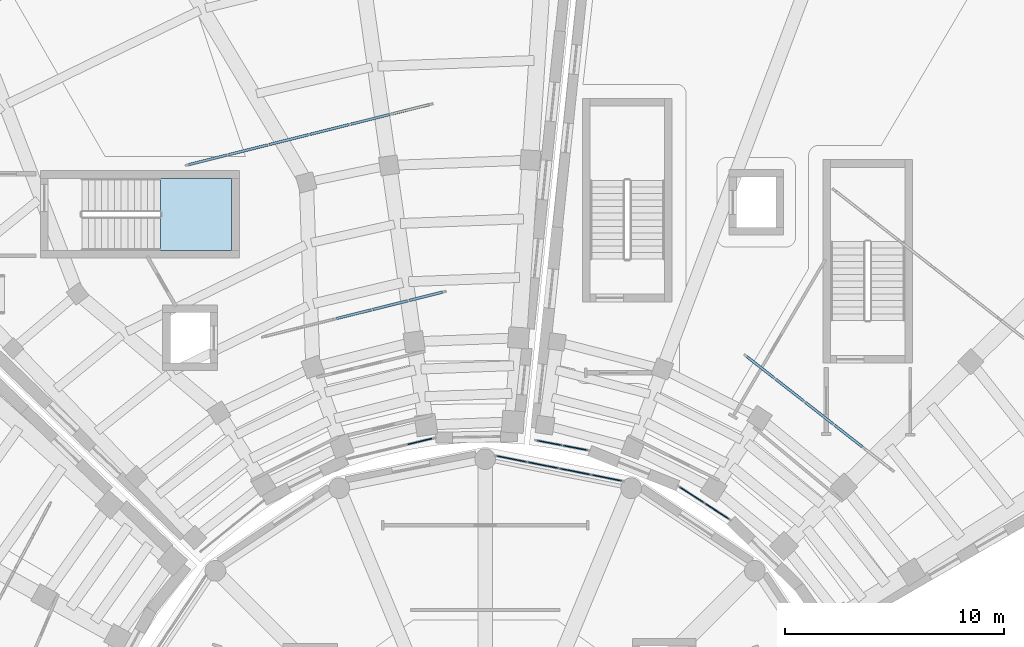
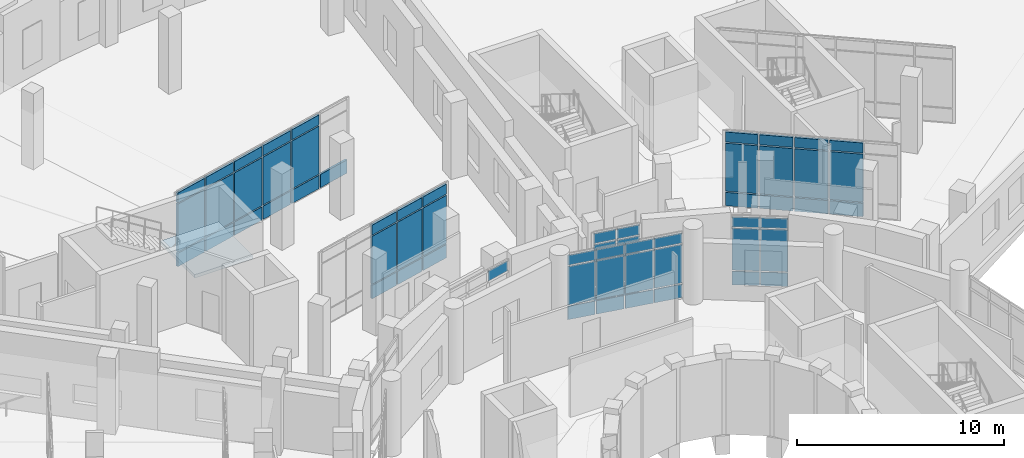
# One storey, part 54 of 89: 62 plates, 1 slab, 8 elements without a shape of their own.
"""IFC4 building model written with IfcOpenShell, lengths in metres."""

from ifc_helpers import new_model, si_unit, direction, frame, origin, origin_2d, place, context, subcontext, project, spatial, polyline, rectangle, outline, extrude, material, layer, layer_set, type_object, element, aggregate, save


model = new_model("IFC4")

# Units and contexts
model_context = context("Model", 3, precision=1e-05, world=origin(), true_north=direction((0.0, 1.0)))
body_context = subcontext(model_context, "Body", "Model", "MODEL_VIEW")
ifc_project = project(units=[si_unit("LENGTHUNIT", "METRE"), si_unit("AREAUNIT", "SQUARE_METRE"), si_unit("VOLUMEUNIT", "CUBIC_METRE"), si_unit("PLANEANGLEUNIT", "RADIAN"), si_unit("MASSUNIT", "GRAM", prefix="KILO")], contexts=[model_context])

# Site, building, storey
site_placement = place(None, origin())
site = spatial("IfcSite", under=ifc_project, at=site_placement, CompositionType="ELEMENT")
building_placement = place(site_placement, origin())
building = spatial("IfcBuilding", under=site, at=building_placement, Name="Soyqirgoq Riverine Aquarium", CompositionType="ELEMENT")
storey_placement = place(building_placement, frame((0.0, 0.0, 5.39990234375)))
storey = spatial("IfcBuildingStorey", under=building, at=storey_placement, Name="L02", CompositionType="ELEMENT", Elevation=5.39990234375)

# Curtain wall, plates
ifc_material_1 = material(Name="Cast polymethyl methacrylate PMMA Habitat Viewing Glazing", Category="glass")
curtain_wall_type_1 = type_object("IfcCurtainWallType", Name="CW_Interior_TankVitrine", PredefinedType="NOTDEFINED", material=ifc_material_1)
curtain_wall_1_placement = place(storey_placement, origin())
curtain_wall_1 = element("IfcCurtainWall", 1, at=curtain_wall_1_placement, inside=storey, type_object=curtain_wall_type_1, Name="V4 L02 Curtain Wall 153", PredefinedType="NOTDEFINED")
ifc_material_2 = material(Name="Cast polymethyl methacrylate PMMA", Category="glass")
ifc_layer_1 = layer(ifc_material_2, 0.1201171875)
ifc_layer_set_1 = layer_set([ifc_layer_1], Name="Cast polymethyl methacrylate PMMA")
plate_type_1 = type_object("IfcPlateType", Name="CWAcrylicPanel_120", PredefinedType="CURTAIN_PANEL", material=ifc_layer_set_1)
plate_1_placement = place(storey_placement, frame((53.2958984375, 81.902587890625, 0.074951171875), z_axis=(0.0, 0.0, 1.0), x_axis=(-0.970295694292, -0.241922023881, 0.0)))
plate_1 = element("IfcPlate", 2, at=plate_1_placement, type_object=plate_type_1, Name="CW-07 panel 1.1", PredefinedType="CURTAIN_PANEL", context=body_context, shape_type="SweptSolid", body=[
    extrude(rectangle(XDim=1.59033203125, YDim=0.1201171875, at=origin_2d()), origin(), (0.0, 0.0, 1.0), 0.78759765625),
])
plate_2_placement = place(storey_placement, frame((53.2958984375, 81.902587890625, 0.9375), z_axis=(0.0, 0.0, 1.0), x_axis=(-0.970295694292, -0.241922023881, 0.0)))
plate_2 = element("IfcPlate", 3, at=plate_2_placement, type_object=plate_type_1, Name="CW-07 panel 1.2", PredefinedType="CURTAIN_PANEL", context=body_context, shape_type="SweptSolid", body=[
    extrude(rectangle(XDim=1.59033203125, YDim=0.1201171875, at=origin_2d()), origin(), (0.0, 0.0, 1.0), 2.824951171875),
])
plate_3_placement = place(storey_placement, frame((53.2958984375, 81.902587890625, 3.837646484375), z_axis=(0.0, 0.0, 1.0), x_axis=(-0.970295694292, -0.241922023881, 0.0)))
plate_3 = element("IfcPlate", 4, at=plate_3_placement, type_object=plate_type_1, Name="CW-07 panel 1.3", PredefinedType="CURTAIN_PANEL", context=body_context, shape_type="SweptSolid", body=[
    extrude(rectangle(XDim=1.59033203125, YDim=0.1201171875, at=origin_2d()), origin(), (0.0, 0.0, 1.0), 0.58740234375),
])
plate_4_placement = place(storey_placement, frame((51.65576171875, 81.49365234375, 0.074951171875), z_axis=(0.0, 0.0, 1.0), x_axis=(-0.970295694292, -0.241922023881, 0.0)))
plate_4 = element("IfcPlate", 5, at=plate_4_placement, type_object=plate_type_1, Name="CW-07 panel 2.1", PredefinedType="CURTAIN_PANEL", context=body_context, shape_type="SweptSolid", body=[
    extrude(rectangle(XDim=1.63037109375, YDim=0.1201171875, at=origin_2d()), origin(), (0.0, 0.0, 1.0), 0.78759765625),
])
plate_5_placement = place(storey_placement, frame((51.65576171875, 81.49365234375, 0.9375), z_axis=(0.0, 0.0, 1.0), x_axis=(-0.970295694292, -0.241922023881, 0.0)))
plate_5 = element("IfcPlate", 6, at=plate_5_placement, type_object=plate_type_1, Name="CW-07 panel 2.2", PredefinedType="CURTAIN_PANEL", context=body_context, shape_type="SweptSolid", body=[
    extrude(rectangle(XDim=1.63037109375, YDim=0.1201171875, at=origin_2d()), origin(), (0.0, 0.0, 1.0), 2.824951171875),
])
plate_6_placement = place(storey_placement, frame((51.65576171875, 81.49365234375, 3.837646484375), z_axis=(0.0, 0.0, 1.0), x_axis=(-0.970295694292, -0.241922023881, 0.0)))
plate_6 = element("IfcPlate", 7, at=plate_6_placement, type_object=plate_type_1, Name="CW-07 panel 2.3", PredefinedType="CURTAIN_PANEL", context=body_context, shape_type="SweptSolid", body=[
    extrude(rectangle(XDim=1.63037109375, YDim=0.1201171875, at=origin_2d()), origin(), (0.0, 0.0, 1.0), 0.58740234375),
])
plate_7_placement = place(storey_placement, frame((49.99609375, 81.079833984375, 0.074951171875), z_axis=(0.0, 0.0, 1.0), x_axis=(-0.970295694292, -0.241922023881, 0.0)))
plate_7 = element("IfcPlate", 8, at=plate_7_placement, type_object=plate_type_1, Name="CW-07 panel 3.1", PredefinedType="CURTAIN_PANEL", context=body_context, shape_type="SweptSolid", body=[
    extrude(rectangle(XDim=1.63037109375, YDim=0.1201171875, at=origin_2d()), origin(), (0.0, 0.0, 1.0), 0.78759765625),
])
plate_8_placement = place(storey_placement, frame((49.99609375, 81.079833984375, 0.9375), z_axis=(0.0, 0.0, 1.0), x_axis=(-0.970295694292, -0.241922023881, 0.0)))
plate_8 = element("IfcPlate", 9, at=plate_8_placement, type_object=plate_type_1, Name="CW-07 panel 3.2", PredefinedType="CURTAIN_PANEL", context=body_context, shape_type="SweptSolid", body=[
    extrude(rectangle(XDim=1.63037109375, YDim=0.1201171875, at=origin_2d()), origin(), (0.0, 0.0, 1.0), 2.824951171875),
])
plate_9_placement = place(storey_placement, frame((49.99609375, 81.079833984375, 3.837646484375), z_axis=(0.0, 0.0, 1.0), x_axis=(-0.970295694292, -0.241922023881, 0.0)))
plate_9 = element("IfcPlate", 10, at=plate_9_placement, type_object=plate_type_1, Name="CW-07 panel 3.3", PredefinedType="CURTAIN_PANEL", context=body_context, shape_type="SweptSolid", body=[
    extrude(rectangle(XDim=1.63037109375, YDim=0.1201171875, at=origin_2d()), origin(), (0.0, 0.0, 1.0), 0.58740234375),
])
aggregate(curtain_wall_1, [plate_1, plate_2, plate_3, plate_4, plate_5, plate_6, plate_7, plate_8, plate_9])

curtain_wall_2_placement = place(storey_placement, origin())
curtain_wall_2 = element("IfcCurtainWall", 11, at=curtain_wall_2_placement, inside=storey, type_object=curtain_wall_type_1, Name="V4 L02 Curtain Wall 154", PredefinedType="NOTDEFINED")
plate_10_placement = place(storey_placement, frame((52.5927734375, 90.4560546875, 0.074951171875), z_axis=(0.0, 0.0, 1.0), x_axis=(-0.970294737313, -0.241925862079, 0.0)))
plate_10 = element("IfcPlate", 12, at=plate_10_placement, type_object=plate_type_1, Name="CW-07 panel 1.1", PredefinedType="CURTAIN_PANEL", context=body_context, shape_type="SweptSolid", body=[
    extrude(rectangle(XDim=1.80322265625, YDim=0.1201171875, at=origin_2d()), origin(), (0.0, 0.0, 1.0), 0.78759765625),
])
plate_11_placement = place(storey_placement, frame((50.746337890625, 89.99560546875, 0.074951171875), z_axis=(0.0, 0.0, 1.0), x_axis=(-0.970294737313, -0.241925862079, 0.0)))
plate_11 = element("IfcPlate", 13, at=plate_11_placement, type_object=plate_type_1, Name="CW-07 panel 2.1", PredefinedType="CURTAIN_PANEL", context=body_context, shape_type="SweptSolid", body=[
    extrude(rectangle(XDim=1.843017578125, YDim=0.1201171875, at=origin_2d()), origin(), (0.0, 0.0, 1.0), 0.78759765625),
])
plate_12_placement = place(storey_placement, frame((50.746337890625, 89.99560546875, 0.9375), z_axis=(0.0, 0.0, 1.0), x_axis=(-0.970294737313, -0.241925862079, 0.0)))
plate_12 = element("IfcPlate", 14, at=plate_12_placement, type_object=plate_type_1, Name="CW-07 panel 2.2", PredefinedType="CURTAIN_PANEL", context=body_context, shape_type="SweptSolid", body=[
    extrude(rectangle(XDim=1.843017578125, YDim=0.1201171875, at=origin_2d()), origin(), (0.0, 0.0, 1.0), 2.824951171875),
])
plate_13_placement = place(storey_placement, frame((50.746337890625, 89.99560546875, 3.837646484375), z_axis=(0.0, 0.0, 1.0), x_axis=(-0.970294737313, -0.241925862079, 0.0)))
plate_13 = element("IfcPlate", 15, at=plate_13_placement, type_object=plate_type_1, Name="CW-07 panel 2.3", PredefinedType="CURTAIN_PANEL", context=body_context, shape_type="SweptSolid", body=[
    extrude(rectangle(XDim=1.843017578125, YDim=0.1201171875, at=origin_2d()), origin(), (0.0, 0.0, 1.0), 0.58740234375),
])
plate_14_placement = place(storey_placement, frame((48.880126953125, 89.5302734375, 0.074951171875), z_axis=(0.0, 0.0, 1.0), x_axis=(-0.970294737313, -0.241925862079, 0.0)))
plate_14 = element("IfcPlate", 16, at=plate_14_placement, type_object=plate_type_1, Name="CW-07 panel 3.1", PredefinedType="CURTAIN_PANEL", context=body_context, shape_type="SweptSolid", body=[
    extrude(rectangle(XDim=1.843017578125, YDim=0.1201171875, at=origin_2d()), origin(), (0.0, 0.0, 1.0), 0.78759765625),
])
plate_15_placement = place(storey_placement, frame((48.880126953125, 89.5302734375, 0.9375), z_axis=(0.0, 0.0, 1.0), x_axis=(-0.970294737313, -0.241925862079, 0.0)))
plate_15 = element("IfcPlate", 17, at=plate_15_placement, type_object=plate_type_1, Name="CW-07 panel 3.2", PredefinedType="CURTAIN_PANEL", context=body_context, shape_type="SweptSolid", body=[
    extrude(rectangle(XDim=1.843017578125, YDim=0.1201171875, at=origin_2d()), origin(), (0.0, 0.0, 1.0), 2.824951171875),
])
plate_16_placement = place(storey_placement, frame((48.880126953125, 89.5302734375, 3.837646484375), z_axis=(0.0, 0.0, 1.0), x_axis=(-0.970294737313, -0.241925862079, 0.0)))
plate_16 = element("IfcPlate", 18, at=plate_16_placement, type_object=plate_type_1, Name="CW-07 panel 3.3", PredefinedType="CURTAIN_PANEL", context=body_context, shape_type="SweptSolid", body=[
    extrude(rectangle(XDim=1.843017578125, YDim=0.1201171875, at=origin_2d()), origin(), (0.0, 0.0, 1.0), 0.58740234375),
])
plate_17_placement = place(storey_placement, frame((47.01416015625, 89.065185546875, 0.074951171875), z_axis=(0.0, 0.0, 1.0), x_axis=(-0.970294737313, -0.241925862079, 0.0)))
plate_17 = element("IfcPlate", 19, at=plate_17_placement, type_object=plate_type_1, Name="CW-07 panel 4.1", PredefinedType="CURTAIN_PANEL", context=body_context, shape_type="SweptSolid", body=[
    extrude(rectangle(XDim=1.843017578125, YDim=0.1201171875, at=origin_2d()), origin(), (0.0, 0.0, 1.0), 0.78759765625),
])
plate_18_placement = place(storey_placement, frame((47.01416015625, 89.065185546875, 0.9375), z_axis=(0.0, 0.0, 1.0), x_axis=(-0.970294737313, -0.241925862079, 0.0)))
plate_18 = element("IfcPlate", 20, at=plate_18_placement, type_object=plate_type_1, Name="CW-07 panel 4.2", PredefinedType="CURTAIN_PANEL", context=body_context, shape_type="SweptSolid", body=[
    extrude(rectangle(XDim=1.843017578125, YDim=0.1201171875, at=origin_2d()), origin(), (0.0, 0.0, 1.0), 2.824951171875),
])
plate_19_placement = place(storey_placement, frame((47.01416015625, 89.065185546875, 3.837646484375), z_axis=(0.0, 0.0, 1.0), x_axis=(-0.970294737313, -0.241925862079, 0.0)))
plate_19 = element("IfcPlate", 21, at=plate_19_placement, type_object=plate_type_1, Name="CW-07 panel 4.3", PredefinedType="CURTAIN_PANEL", context=body_context, shape_type="SweptSolid", body=[
    extrude(rectangle(XDim=1.843017578125, YDim=0.1201171875, at=origin_2d()), origin(), (0.0, 0.0, 1.0), 0.58740234375),
])
plate_20_placement = place(storey_placement, frame((45.148193359375, 88.599853515625, 0.074951171875), z_axis=(0.0, 0.0, 1.0), x_axis=(-0.970294737313, -0.241925862079, 0.0)))
plate_20 = element("IfcPlate", 22, at=plate_20_placement, type_object=plate_type_1, Name="CW-07 panel 5.1", PredefinedType="CURTAIN_PANEL", context=body_context, shape_type="SweptSolid", body=[
    extrude(rectangle(XDim=1.843017578125, YDim=0.1201171875, at=origin_2d()), origin(), (0.0, 0.0, 1.0), 0.78759765625),
])
plate_21_placement = place(storey_placement, frame((45.148193359375, 88.599853515625, 0.9375), z_axis=(0.0, 0.0, 1.0), x_axis=(-0.970294737313, -0.241925862079, 0.0)))
plate_21 = element("IfcPlate", 23, at=plate_21_placement, type_object=plate_type_1, Name="CW-07 panel 5.2", PredefinedType="CURTAIN_PANEL", context=body_context, shape_type="SweptSolid", body=[
    extrude(rectangle(XDim=1.843017578125, YDim=0.1201171875, at=origin_2d()), origin(), (0.0, 0.0, 1.0), 2.824951171875),
])
plate_22_placement = place(storey_placement, frame((45.148193359375, 88.599853515625, 3.837646484375), z_axis=(0.0, 0.0, 1.0), x_axis=(-0.970294737313, -0.241925862079, 0.0)))
plate_22 = element("IfcPlate", 24, at=plate_22_placement, type_object=plate_type_1, Name="CW-07 panel 5.3", PredefinedType="CURTAIN_PANEL", context=body_context, shape_type="SweptSolid", body=[
    extrude(rectangle(XDim=1.843017578125, YDim=0.1201171875, at=origin_2d()), origin(), (0.0, 0.0, 1.0), 0.58740234375),
])
plate_23_placement = place(storey_placement, frame((43.3017578125, 88.139404296875, 0.074951171875), z_axis=(0.0, 0.0, 1.0), x_axis=(-0.970294737313, -0.241925862079, 0.0)))
plate_23 = element("IfcPlate", 25, at=plate_23_placement, type_object=plate_type_1, Name="CW-07 panel 6.1", PredefinedType="CURTAIN_PANEL", context=body_context, shape_type="SweptSolid", body=[
    extrude(rectangle(XDim=1.80322265625, YDim=0.1201171875, at=origin_2d()), origin(), (0.0, 0.0, 1.0), 0.78759765625),
])
plate_24_placement = place(storey_placement, frame((43.3017578125, 88.139404296875, 0.9375), z_axis=(0.0, 0.0, 1.0), x_axis=(-0.970294737313, -0.241925862079, 0.0)))
plate_24 = element("IfcPlate", 26, at=plate_24_placement, type_object=plate_type_1, Name="CW-07 panel 6.2", PredefinedType="CURTAIN_PANEL", context=body_context, shape_type="SweptSolid", body=[
    extrude(rectangle(XDim=1.80322265625, YDim=0.1201171875, at=origin_2d()), origin(), (0.0, 0.0, 1.0), 2.824951171875),
])
plate_25_placement = place(storey_placement, frame((43.3017578125, 88.139404296875, 3.837646484375), z_axis=(0.0, 0.0, 1.0), x_axis=(-0.970294737313, -0.241925862079, 0.0)))
plate_25 = element("IfcPlate", 27, at=plate_25_placement, type_object=plate_type_1, Name="CW-07 panel 6.3", PredefinedType="CURTAIN_PANEL", context=body_context, shape_type="SweptSolid", body=[
    extrude(rectangle(XDim=1.80322265625, YDim=0.1201171875, at=origin_2d()), origin(), (0.0, 0.0, 1.0), 0.58740234375),
])
aggregate(curtain_wall_2, [plate_10, plate_11, plate_12, plate_13, plate_14, plate_15, plate_16, plate_17, plate_18, plate_19, plate_20, plate_21, plate_22, plate_23, plate_24, plate_25])

curtain_wall_3_placement = place(storey_placement, origin())
curtain_wall_3 = element("IfcCurtainWall", 28, at=curtain_wall_3_placement, inside=storey, type_object=curtain_wall_type_1, Name="V5 L02 Curtain Wall 159", PredefinedType="NOTDEFINED")
plate_26_placement = place(storey_placement, frame((72.626708984375, 75.503173828125, 0.074951171875), z_axis=(0.0, 0.0, 1.0), x_axis=(-0.788011077449, 0.615661060826, 0.0)))
plate_26 = element("IfcPlate", 29, at=plate_26_placement, type_object=plate_type_1, Name="CW-07 panel 2.1", PredefinedType="CURTAIN_PANEL", context=body_context, shape_type="SweptSolid", body=[
    extrude(rectangle(XDim=1.63037109375, YDim=0.1201171875, at=origin_2d()), origin(), (0.0, 0.0, 1.0), 0.78759765625),
])
plate_27_placement = place(storey_placement, frame((72.626708984375, 75.503173828125, 0.9375), z_axis=(0.0, 0.0, 1.0), x_axis=(-0.788011077449, 0.615661060826, 0.0)))
plate_27 = element("IfcPlate", 30, at=plate_27_placement, type_object=plate_type_1, Name="CW-07 panel 2.2", PredefinedType="CURTAIN_PANEL", context=body_context, shape_type="SweptSolid", body=[
    extrude(rectangle(XDim=1.63037109375, YDim=0.1201171875, at=origin_2d()), origin(), (0.0, 0.0, 1.0), 2.824951171875),
])
plate_28_placement = place(storey_placement, frame((72.626708984375, 75.503173828125, 3.837646484375), z_axis=(0.0, 0.0, 1.0), x_axis=(-0.788011077449, 0.615661060826, 0.0)))
plate_28 = element("IfcPlate", 31, at=plate_28_placement, type_object=plate_type_1, Name="CW-07 panel 2.3", PredefinedType="CURTAIN_PANEL", context=body_context, shape_type="SweptSolid", body=[
    extrude(rectangle(XDim=1.63037109375, YDim=0.1201171875, at=origin_2d()), origin(), (0.0, 0.0, 1.0), 0.58740234375),
])
plate_29_placement = place(storey_placement, frame((71.279052734375, 76.55615234375, 0.074951171875), z_axis=(0.0, 0.0, 1.0), x_axis=(-0.788011077449, 0.615661060826, 0.0)))
plate_29 = element("IfcPlate", 32, at=plate_29_placement, type_object=plate_type_1, Name="CW-07 panel 3.1", PredefinedType="CURTAIN_PANEL", context=body_context, shape_type="SweptSolid", body=[
    extrude(rectangle(XDim=1.63037109375, YDim=0.1201171875, at=origin_2d()), origin(), (0.0, 0.0, 1.0), 0.78759765625),
])
plate_30_placement = place(storey_placement, frame((71.279052734375, 76.55615234375, 0.9375), z_axis=(0.0, 0.0, 1.0), x_axis=(-0.788011077449, 0.615661060826, 0.0)))
plate_30 = element("IfcPlate", 33, at=plate_30_placement, type_object=plate_type_1, Name="CW-07 panel 3.2", PredefinedType="CURTAIN_PANEL", context=body_context, shape_type="SweptSolid", body=[
    extrude(rectangle(XDim=1.63037109375, YDim=0.1201171875, at=origin_2d()), origin(), (0.0, 0.0, 1.0), 2.824951171875),
])
plate_31_placement = place(storey_placement, frame((71.279052734375, 76.55615234375, 3.837646484375), z_axis=(0.0, 0.0, 1.0), x_axis=(-0.788011077449, 0.615661060826, 0.0)))
plate_31 = element("IfcPlate", 34, at=plate_31_placement, type_object=plate_type_1, Name="CW-07 panel 3.3", PredefinedType="CURTAIN_PANEL", context=body_context, shape_type="SweptSolid", body=[
    extrude(rectangle(XDim=1.63037109375, YDim=0.1201171875, at=origin_2d()), origin(), (0.0, 0.0, 1.0), 0.58740234375),
])
plate_32_placement = place(storey_placement, frame((69.93115234375, 77.609130859375, 0.074951171875), z_axis=(0.0, 0.0, 1.0), x_axis=(-0.788011077449, 0.615661060826, 0.0)))
plate_32 = element("IfcPlate", 35, at=plate_32_placement, type_object=plate_type_1, Name="CW-07 panel 4.1", PredefinedType="CURTAIN_PANEL", context=body_context, shape_type="SweptSolid", body=[
    extrude(rectangle(XDim=1.63037109375, YDim=0.1201171875, at=origin_2d()), origin(), (0.0, 0.0, 1.0), 0.78759765625),
])
plate_33_placement = place(storey_placement, frame((69.93115234375, 77.609130859375, 0.9375), z_axis=(0.0, 0.0, 1.0), x_axis=(-0.788011077449, 0.615661060826, 0.0)))
plate_33 = element("IfcPlate", 36, at=plate_33_placement, type_object=plate_type_1, Name="CW-07 panel 4.2", PredefinedType="CURTAIN_PANEL", context=body_context, shape_type="SweptSolid", body=[
    extrude(rectangle(XDim=1.63037109375, YDim=0.1201171875, at=origin_2d()), origin(), (0.0, 0.0, 1.0), 2.824951171875),
])
plate_34_placement = place(storey_placement, frame((69.93115234375, 77.609130859375, 3.837646484375), z_axis=(0.0, 0.0, 1.0), x_axis=(-0.788011077449, 0.615661060826, 0.0)))
plate_34 = element("IfcPlate", 37, at=plate_34_placement, type_object=plate_type_1, Name="CW-07 panel 4.3", PredefinedType="CURTAIN_PANEL", context=body_context, shape_type="SweptSolid", body=[
    extrude(rectangle(XDim=1.63037109375, YDim=0.1201171875, at=origin_2d()), origin(), (0.0, 0.0, 1.0), 0.58740234375),
])
plate_35_placement = place(storey_placement, frame((68.59912109375, 78.64990234375, 0.074951171875), z_axis=(0.0, 0.0, 1.0), x_axis=(-0.788011077449, 0.615661060826, 0.0)))
plate_35 = element("IfcPlate", 38, at=plate_35_placement, type_object=plate_type_1, Name="CW-07 panel 5.1", PredefinedType="CURTAIN_PANEL", context=body_context, shape_type="SweptSolid", body=[
    extrude(rectangle(XDim=1.59033203125, YDim=0.1201171875, at=origin_2d()), origin(), (0.0, 0.0, 1.0), 0.78759765625),
])
plate_36_placement = place(storey_placement, frame((68.59912109375, 78.64990234375, 0.9375), z_axis=(0.0, 0.0, 1.0), x_axis=(-0.788011077449, 0.615661060826, 0.0)))
plate_36 = element("IfcPlate", 39, at=plate_36_placement, type_object=plate_type_1, Name="CW-07 panel 5.2", PredefinedType="CURTAIN_PANEL", context=body_context, shape_type="SweptSolid", body=[
    extrude(rectangle(XDim=1.59033203125, YDim=0.1201171875, at=origin_2d()), origin(), (0.0, 0.0, 1.0), 2.824951171875),
])
plate_37_placement = place(storey_placement, frame((68.59912109375, 78.64990234375, 3.837646484375), z_axis=(0.0, 0.0, 1.0), x_axis=(-0.788011077449, 0.615661060826, 0.0)))
plate_37 = element("IfcPlate", 40, at=plate_37_placement, type_object=plate_type_1, Name="CW-07 panel 5.3", PredefinedType="CURTAIN_PANEL", context=body_context, shape_type="SweptSolid", body=[
    extrude(rectangle(XDim=1.59033203125, YDim=0.1201171875, at=origin_2d()), origin(), (0.0, 0.0, 1.0), 0.58740234375),
])
aggregate(curtain_wall_3, [plate_26, plate_27, plate_28, plate_29, plate_30, plate_31, plate_32, plate_33, plate_34, plate_35, plate_36, plate_37])

ifc_material_3 = material(Name="Anodised aluminium thermally broken triple low-E glazing", Category="aluminium")
curtain_wall_type_2 = type_object("IfcCurtainWallType", Name="CW_DrumGallery_Unitised", PredefinedType="NOTDEFINED", material=ifc_material_3)
curtain_wall_4_placement = place(storey_placement, origin())
curtain_wall_4 = element("IfcCurtainWall", 41, at=curtain_wall_4_placement, inside=storey, type_object=curtain_wall_type_2, Name="V1 L02 Curtain Wall 013", PredefinedType="NOTDEFINED")
ifc_material_4 = material(Name="Triple insulated laminated low-E glass", Category="glass")
ifc_layer_2 = layer(ifc_material_4, 0.0458984375)
ifc_layer_set_2 = layer_set([ifc_layer_2], Name="Triple insulated laminated low-E glass")
plate_type_2 = type_object("IfcPlateType", Name="CWGlazedPanel_46", PredefinedType="CURTAIN_PANEL", material=ifc_layer_set_2)
plate_38_placement = place(storey_placement, frame((61.55908203125, 73.59423828125, 0.074951171875), z_axis=(0.0, 0.0, 1.0), x_axis=(-0.980785709335, 0.195088165618, 0.0)))
plate_38 = element("IfcPlate", 42, at=plate_38_placement, type_object=plate_type_2, Name="CW-01 panel 1.1", PredefinedType="CURTAIN_PANEL", context=body_context, shape_type="SweptSolid", body=[
    extrude(rectangle(XDim=1.389892578125, YDim=0.0458984375, at=origin_2d()), origin(), (0.0, 0.0, 1.0), 0.78759765625),
])
plate_39_placement = place(storey_placement, frame((61.55908203125, 73.59423828125, 0.937744140625), z_axis=(0.0, 0.0, 1.0), x_axis=(-0.980785709335, 0.195088165618, 0.0)))
plate_39 = element("IfcPlate", 43, at=plate_39_placement, type_object=plate_type_2, Name="CW-01 panel 1.2", PredefinedType="CURTAIN_PANEL", context=body_context, shape_type="SweptSolid", body=[
    extrude(rectangle(XDim=1.389892578125, YDim=0.0458984375, at=origin_2d()), origin(), (0.0, 0.0, 1.0), 2.27490234375),
])
plate_40_placement = place(storey_placement, frame((61.55908203125, 73.59423828125, 3.28759765625), z_axis=(0.0, 0.0, 1.0), x_axis=(-0.980785709335, 0.195088165618, 0.0)))
plate_40 = element("IfcPlate", 44, at=plate_40_placement, type_object=plate_type_2, Name="CW-01 panel 1.3", PredefinedType="CURTAIN_PANEL", context=body_context, shape_type="SweptSolid", body=[
    extrude(rectangle(XDim=1.389892578125, YDim=0.0458984375, at=origin_2d()), origin(), (0.0, 0.0, 1.0), 0.58740234375),
])
plate_41_placement = place(storey_placement, frame((60.1162109375, 73.88134765625, 0.074951171875), z_axis=(0.0, 0.0, 1.0), x_axis=(-0.980785709335, 0.195088165618, 0.0)))
plate_41 = element("IfcPlate", 45, at=plate_41_placement, type_object=plate_type_2, Name="CW-01 panel 2.1", PredefinedType="CURTAIN_PANEL", context=body_context, shape_type="SweptSolid", body=[
    extrude(rectangle(XDim=1.42236328125, YDim=0.0458984375, at=origin_2d()), origin(), (0.0, 0.0, 1.0), 0.78759765625),
])
plate_42_placement = place(storey_placement, frame((60.1162109375, 73.88134765625, 0.937744140625), z_axis=(0.0, 0.0, 1.0), x_axis=(-0.980785709335, 0.195088165618, 0.0)))
plate_42 = element("IfcPlate", 46, at=plate_42_placement, type_object=plate_type_2, Name="CW-01 panel 2.2", PredefinedType="CURTAIN_PANEL", context=body_context, shape_type="SweptSolid", body=[
    extrude(rectangle(XDim=1.42236328125, YDim=0.0458984375, at=origin_2d()), origin(), (0.0, 0.0, 1.0), 2.27490234375),
])
plate_43_placement = place(storey_placement, frame((60.1162109375, 73.88134765625, 3.28759765625), z_axis=(0.0, 0.0, 1.0), x_axis=(-0.980785709335, 0.195088165618, 0.0)))
plate_43 = element("IfcPlate", 47, at=plate_43_placement, type_object=plate_type_2, Name="CW-01 panel 2.3", PredefinedType="CURTAIN_PANEL", context=body_context, shape_type="SweptSolid", body=[
    extrude(rectangle(XDim=1.42236328125, YDim=0.0458984375, at=origin_2d()), origin(), (0.0, 0.0, 1.0), 0.58740234375),
])
plate_44_placement = place(storey_placement, frame((58.6572265625, 74.17138671875, 0.074951171875), z_axis=(0.0, 0.0, 1.0), x_axis=(-0.980785709335, 0.195088165618, 0.0)))
plate_44 = element("IfcPlate", 48, at=plate_44_placement, type_object=plate_type_2, Name="CW-01 panel 3.1", PredefinedType="CURTAIN_PANEL", context=body_context, shape_type="SweptSolid", body=[
    extrude(rectangle(XDim=1.42236328125, YDim=0.0458984375, at=origin_2d()), origin(), (0.0, 0.0, 1.0), 0.78759765625),
])
plate_45_placement = place(storey_placement, frame((58.6572265625, 74.17138671875, 0.937744140625), z_axis=(0.0, 0.0, 1.0), x_axis=(-0.980785709335, 0.195088165618, 0.0)))
plate_45 = element("IfcPlate", 49, at=plate_45_placement, type_object=plate_type_2, Name="CW-01 panel 3.2", PredefinedType="CURTAIN_PANEL", context=body_context, shape_type="SweptSolid", body=[
    extrude(rectangle(XDim=1.42236328125, YDim=0.0458984375, at=origin_2d()), origin(), (0.0, 0.0, 1.0), 2.27490234375),
])
plate_46_placement = place(storey_placement, frame((58.6572265625, 74.17138671875, 3.28759765625), z_axis=(0.0, 0.0, 1.0), x_axis=(-0.980785709335, 0.195088165618, 0.0)))
plate_46 = element("IfcPlate", 50, at=plate_46_placement, type_object=plate_type_2, Name="CW-01 panel 3.3", PredefinedType="CURTAIN_PANEL", context=body_context, shape_type="SweptSolid", body=[
    extrude(rectangle(XDim=1.42236328125, YDim=0.0458984375, at=origin_2d()), origin(), (0.0, 0.0, 1.0), 0.58740234375),
])
plate_47_placement = place(storey_placement, frame((57.21435546875, 74.45849609375, 0.074951171875), z_axis=(0.0, 0.0, 1.0), x_axis=(-0.980785709335, 0.195088165618, 0.0)))
plate_47 = element("IfcPlate", 51, at=plate_47_placement, type_object=plate_type_2, Name="CW-01 panel 4.1", PredefinedType="CURTAIN_PANEL", context=body_context, shape_type="SweptSolid", body=[
    extrude(rectangle(XDim=1.389892578125, YDim=0.0458984375, at=origin_2d()), origin(), (0.0, 0.0, 1.0), 0.78759765625),
])
plate_48_placement = place(storey_placement, frame((57.21435546875, 74.45849609375, 0.937744140625), z_axis=(0.0, 0.0, 1.0), x_axis=(-0.980785709335, 0.195088165618, 0.0)))
plate_48 = element("IfcPlate", 52, at=plate_48_placement, type_object=plate_type_2, Name="CW-01 panel 4.2", PredefinedType="CURTAIN_PANEL", context=body_context, shape_type="SweptSolid", body=[
    extrude(rectangle(XDim=1.389892578125, YDim=0.0458984375, at=origin_2d()), origin(), (0.0, 0.0, 1.0), 2.27490234375),
])
plate_49_placement = place(storey_placement, frame((57.21435546875, 74.45849609375, 3.28759765625), z_axis=(0.0, 0.0, 1.0), x_axis=(-0.980785709335, 0.195088165618, 0.0)))
plate_49 = element("IfcPlate", 53, at=plate_49_placement, type_object=plate_type_2, Name="CW-01 panel 4.3", PredefinedType="CURTAIN_PANEL", context=body_context, shape_type="SweptSolid", body=[
    extrude(rectangle(XDim=1.389892578125, YDim=0.0458984375, at=origin_2d()), origin(), (0.0, 0.0, 1.0), 0.58740234375),
])
aggregate(curtain_wall_4, [plate_38, plate_39, plate_40, plate_41, plate_42, plate_43, plate_44, plate_45, plate_46, plate_47, plate_48, plate_49])

# Curtain wall, plate
ifc_material_5 = material(Name="Anodised aluminium thermally broken double low-E glazing", Category="aluminium")
curtain_wall_type_3 = type_object("IfcCurtainWallType", Name="CW_Wedge_NorthBay", PredefinedType="NOTDEFINED", material=ifc_material_5)
curtain_wall_5_placement = place(storey_placement, origin())
curtain_wall_5 = element("IfcCurtainWall", 54, at=curtain_wall_5_placement, inside=storey, type_object=curtain_wall_type_3, Name="V4 L02 Curtain Wall 088", PredefinedType="NOTDEFINED")
plate_50_placement = place(storey_placement, frame((53.013671875, 75.25830078125, 3.487548828125), z_axis=(0.0, 0.0, 1.0), x_axis=(-0.972370572891, -0.233442646008, 0.0)))
plate_50 = element("IfcPlate", 55, at=plate_50_placement, type_object=plate_type_2, Name="CW-03 panel 1.3", PredefinedType="CURTAIN_PANEL", context=body_context, shape_type="SweptSolid", body=[
    extrude(rectangle(XDim=1.27734375, YDim=0.0458984375, at=origin_2d()), origin(), (0.0, 0.0, 1.0), 0.58740234375),
])
aggregate(curtain_wall_5, [plate_50])

# Curtain wall, plates
curtain_wall_6_placement = place(storey_placement, origin())
curtain_wall_6 = element("IfcCurtainWall", 56, at=curtain_wall_6_placement, inside=storey, type_object=curtain_wall_type_3, Name="V5 L02 Curtain Wall 094", PredefinedType="NOTDEFINED")
plate_51_placement = place(storey_placement, frame((66.60595703125, 72.06787109375, 0.074951171875), z_axis=(0.0, 0.0, 1.0), x_axis=(-0.838687541024, 0.544612897875, 0.0)))
plate_51 = element("IfcPlate", 57, at=plate_51_placement, type_object=plate_type_2, Name="CW-03 panel 1.1", PredefinedType="CURTAIN_PANEL", context=body_context, shape_type="SweptSolid", body=[
    extrude(rectangle(XDim=1.311767578125, YDim=0.0458984375, at=origin_2d()), origin(), (0.0, 0.0, 1.0), 0.78759765625),
])
plate_52_placement = place(storey_placement, frame((66.60595703125, 72.06787109375, 0.9375), z_axis=(0.0, 0.0, 1.0), x_axis=(-0.838687541024, 0.544612897875, 0.0)))
plate_52 = element("IfcPlate", 58, at=plate_52_placement, type_object=plate_type_2, Name="CW-03 panel 1.2", PredefinedType="CURTAIN_PANEL", context=body_context, shape_type="SweptSolid", body=[
    extrude(rectangle(XDim=1.311767578125, YDim=0.0458984375, at=origin_2d()), origin(), (0.0, 0.0, 1.0), 2.47509765625),
])
plate_53_placement = place(storey_placement, frame((66.60595703125, 72.06787109375, 3.487548828125), z_axis=(0.0, 0.0, 1.0), x_axis=(-0.838687541024, 0.544612897875, 0.0)))
plate_53 = element("IfcPlate", 59, at=plate_53_placement, type_object=plate_type_2, Name="CW-03 panel 1.3", PredefinedType="CURTAIN_PANEL", context=body_context, shape_type="SweptSolid", body=[
    extrude(rectangle(XDim=1.311767578125, YDim=0.0458984375, at=origin_2d()), origin(), (0.0, 0.0, 1.0), 0.58740234375),
])
plate_54_placement = place(storey_placement, frame((65.451171875, 72.817626953125, 0.074951171875), z_axis=(0.0, 0.0, 1.0), x_axis=(-0.838687541024, 0.544612897875, 0.0)))
plate_54 = element("IfcPlate", 60, at=plate_54_placement, type_object=plate_type_2, Name="CW-03 panel 2.1", PredefinedType="CURTAIN_PANEL", context=body_context, shape_type="SweptSolid", body=[
    extrude(rectangle(XDim=1.311767578125, YDim=0.0458984375, at=origin_2d()), origin(), (0.0, 0.0, 1.0), 0.78759765625),
])
plate_55_placement = place(storey_placement, frame((65.451171875, 72.817626953125, 0.9375), z_axis=(0.0, 0.0, 1.0), x_axis=(-0.838687541024, 0.544612897875, 0.0)))
plate_55 = element("IfcPlate", 61, at=plate_55_placement, type_object=plate_type_2, Name="CW-03 panel 2.2", PredefinedType="CURTAIN_PANEL", context=body_context, shape_type="SweptSolid", body=[
    extrude(rectangle(XDim=1.311767578125, YDim=0.0458984375, at=origin_2d()), origin(), (0.0, 0.0, 1.0), 2.47509765625),
])
plate_56_placement = place(storey_placement, frame((65.451171875, 72.817626953125, 3.487548828125), z_axis=(0.0, 0.0, 1.0), x_axis=(-0.838687541024, 0.544612897875, 0.0)))
plate_56 = element("IfcPlate", 62, at=plate_56_placement, type_object=plate_type_2, Name="CW-03 panel 2.3", PredefinedType="CURTAIN_PANEL", context=body_context, shape_type="SweptSolid", body=[
    extrude(rectangle(XDim=1.311767578125, YDim=0.0458984375, at=origin_2d()), origin(), (0.0, 0.0, 1.0), 0.58740234375),
])
aggregate(curtain_wall_6, [plate_51, plate_52, plate_53, plate_54, plate_55, plate_56])

curtain_wall_7_placement = place(storey_placement, origin())
curtain_wall_7 = element("IfcCurtainWall", 63, at=curtain_wall_7_placement, inside=storey, type_object=curtain_wall_type_3, Name="V5 L02 Curtain Wall 095", PredefinedType="NOTDEFINED")
plate_57_placement = place(storey_placement, frame((60.12158203125, 74.966796875, 0.074951171875), z_axis=(0.0, 0.0, 1.0), x_axis=(-0.982229452977, 0.187684047551, 0.0)))
plate_57 = element("IfcPlate", 64, at=plate_57_placement, type_object=plate_type_2, Name="CW-03 panel 1.1", PredefinedType="CURTAIN_PANEL", context=body_context, shape_type="SweptSolid", body=[
    extrude(rectangle(XDim=1.131591796875, YDim=0.0458984375, at=origin_2d()), origin(), (0.0, 0.0, 1.0), 0.78759765625),
])
plate_58_placement = place(storey_placement, frame((60.12158203125, 74.966796875, 0.9375), z_axis=(0.0, 0.0, 1.0), x_axis=(-0.982229452977, 0.187684047551, 0.0)))
plate_58 = element("IfcPlate", 65, at=plate_58_placement, type_object=plate_type_2, Name="CW-03 panel 1.2", PredefinedType="CURTAIN_PANEL", context=body_context, shape_type="SweptSolid", body=[
    extrude(rectangle(XDim=1.131591796875, YDim=0.0458984375, at=origin_2d()), origin(), (0.0, 0.0, 1.0), 2.47509765625),
])
plate_59_placement = place(storey_placement, frame((60.12158203125, 74.966796875, 3.487548828125), z_axis=(0.0, 0.0, 1.0), x_axis=(-0.982229452977, 0.187684047551, 0.0)))
plate_59 = element("IfcPlate", 66, at=plate_59_placement, type_object=plate_type_2, Name="CW-03 panel 1.3", PredefinedType="CURTAIN_PANEL", context=body_context, shape_type="SweptSolid", body=[
    extrude(rectangle(XDim=1.131591796875, YDim=0.0458984375, at=origin_2d()), origin(), (0.0, 0.0, 1.0), 0.58740234375),
])
plate_60_placement = place(storey_placement, frame((58.946044921875, 75.19140625, 0.074951171875), z_axis=(0.0, 0.0, 1.0), x_axis=(-0.982229452977, 0.187684047551, 0.0)))
plate_60 = element("IfcPlate", 67, at=plate_60_placement, type_object=plate_type_2, Name="CW-03 panel 2.1", PredefinedType="CURTAIN_PANEL", context=body_context, shape_type="SweptSolid", body=[
    extrude(rectangle(XDim=1.131591796875, YDim=0.0458984375, at=origin_2d()), origin(), (0.0, 0.0, 1.0), 0.78759765625),
])
plate_61_placement = place(storey_placement, frame((58.946044921875, 75.19140625, 0.9375), z_axis=(0.0, 0.0, 1.0), x_axis=(-0.982229452977, 0.187684047551, 0.0)))
plate_61 = element("IfcPlate", 68, at=plate_61_placement, type_object=plate_type_2, Name="CW-03 panel 2.2", PredefinedType="CURTAIN_PANEL", context=body_context, shape_type="SweptSolid", body=[
    extrude(rectangle(XDim=1.131591796875, YDim=0.0458984375, at=origin_2d()), origin(), (0.0, 0.0, 1.0), 2.47509765625),
])
plate_62_placement = place(storey_placement, frame((58.946044921875, 75.19140625, 3.487548828125), z_axis=(0.0, 0.0, 1.0), x_axis=(-0.982229452977, 0.187684047551, 0.0)))
plate_62 = element("IfcPlate", 69, at=plate_62_placement, type_object=plate_type_2, Name="CW-03 panel 2.3", PredefinedType="CURTAIN_PANEL", context=body_context, shape_type="SweptSolid", body=[
    extrude(rectangle(XDim=1.131591796875, YDim=0.0458984375, at=origin_2d()), origin(), (0.0, 0.0, 1.0), 0.58740234375),
])
aggregate(curtain_wall_7, [plate_57, plate_58, plate_59, plate_60, plate_61, plate_62])

# Stair, slab
ifc_material_6 = material(Name="Concrete C35/45", Category="concrete")
stair_type = type_object("IfcStairType", Name="CoreDoglegStair_RC", PredefinedType="HALF_TURN_STAIR", material=ifc_material_6)
stair_placement = place(storey_placement, origin())
stair = element("IfcStair", 70, at=stair_placement, inside=storey, type_object=stair_type, Name="L02 Enclosed Exit Stair ST-4", PredefinedType="HALF_TURN_STAIR")
ifc_material_7 = material(Name="Concrete C35/45", Category="concrete")
ifc_layer_3 = layer(ifc_material_7, 0.199951171875)
ifc_layer_set_3 = layer_set([ifc_layer_3], Name="Concrete C35/45")
slab_type = type_object("IfcSlabType", Name="CoreStairLanding_RC", PredefinedType="LANDING", material=ifc_layer_set_3)
slab_placement = place(storey_placement, frame((0.0, 0.0, 2.2001953125)))
slab = element("IfcSlab", 71, at=slab_placement, type_object=slab_type, Name="ST-4 landing 1", PredefinedType="LANDING", context=body_context, shape_type="SweptSolid", body=[
    extrude(outline(polyline([(41.14990234375, 84.0), (44.39990234375, 84.0), (44.39990234375, 87.300048828125), (41.14990234375, 87.300048828125), (41.14990234375, 84.0)])), origin(), (0.0, 0.0, 1.0), 0.199951171875),
])
aggregate(stair, [slab])

save(model, "model.ifc")
